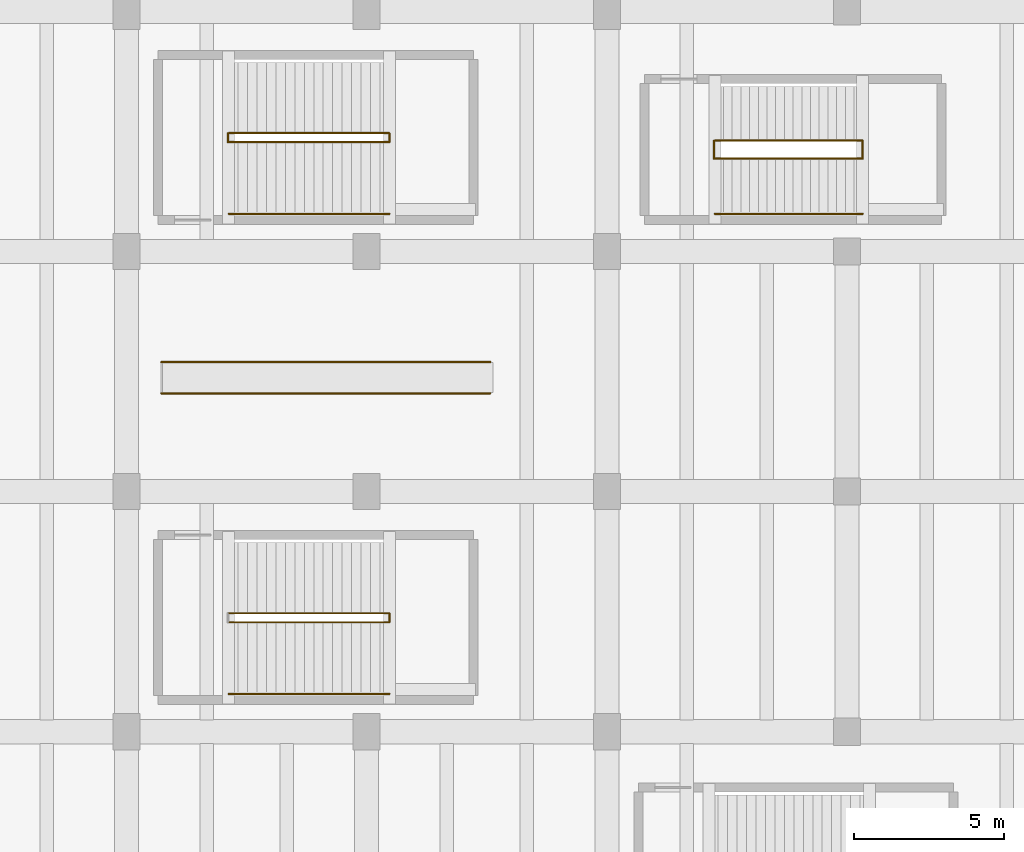
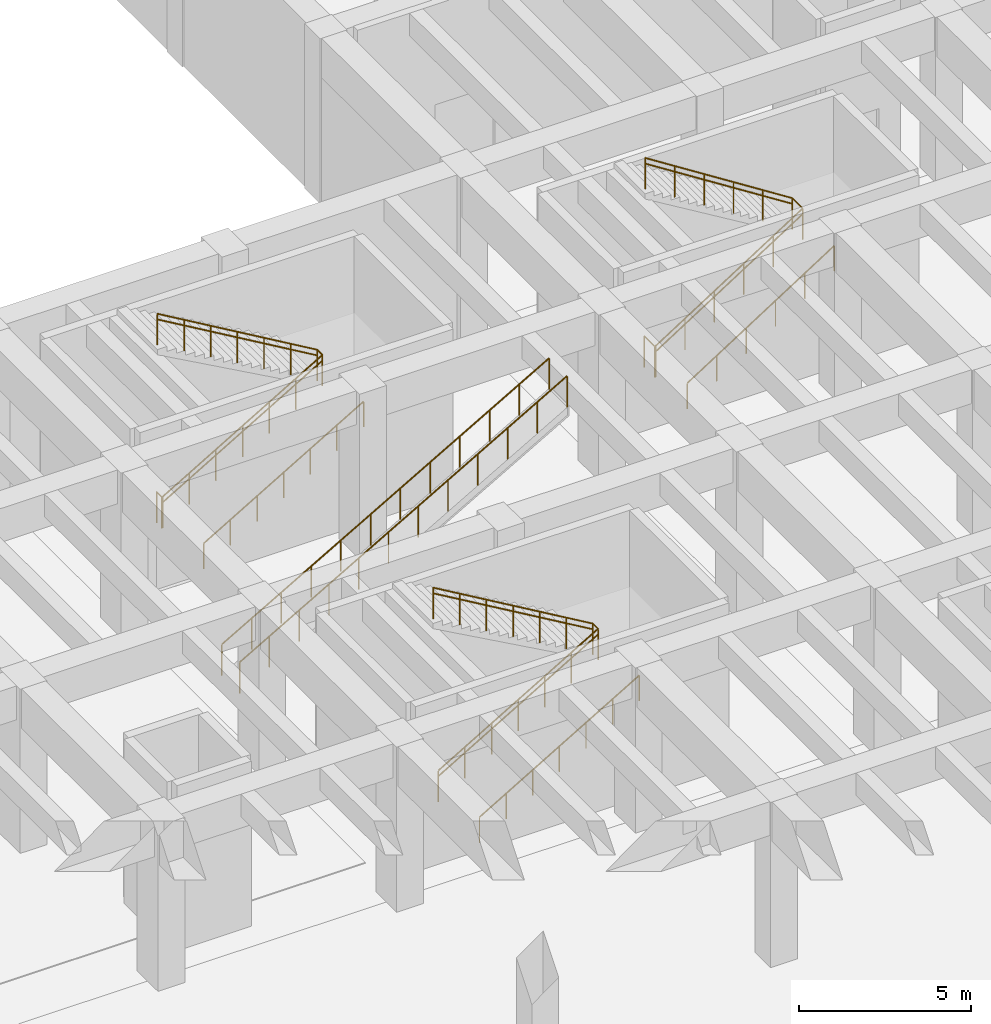
# One storey, part 21 of 24: 19 railings.
"""IFC4 building model written with IfcOpenShell, lengths in metres."""

from ifc_helpers import new_model, si_unit, direction, frame, origin, origin_2d, place, context, subcontext, project, spatial, circle, extrude, material, type_object, element, save


model = new_model("IFC4")

# Units and contexts
model_context = context("Model", 3, precision=1e-05, world=origin(), true_north=direction((0.0, 1.0)))
body_context = subcontext(model_context, "Body", "Model", "MODEL_VIEW")
ifc_project = project(units=[si_unit("LENGTHUNIT", "METRE"), si_unit("AREAUNIT", "SQUARE_METRE"), si_unit("VOLUMEUNIT", "CUBIC_METRE"), si_unit("PLANEANGLEUNIT", "RADIAN"), si_unit("MASSUNIT", "GRAM", prefix="KILO")], contexts=[model_context])

# Site, building, storey
site_placement = place(None, origin())
site = spatial("IfcSite", under=ifc_project, at=site_placement, CompositionType="ELEMENT")
building_placement = place(site_placement, origin())
building = spatial("IfcBuilding", under=site, at=building_placement, Name="Varnela Railside Interchange", CompositionType="ELEMENT")
storey_placement = place(building_placement, frame((0.0, 0.0, -6.300048828125)))
storey = spatial("IfcBuildingStorey", under=building, at=storey_placement, Name="B1", CompositionType="ELEMENT", Elevation=-6.300048828125)

# Railings
ifc_material_1 = material(Name="Glass laminated double", Category="glass")
railing_type_1 = type_object("IfcRailingType", Name="Concourse Atrium Balustrade BL-01", PredefinedType="BALUSTRADE", material=ifc_material_1)
railing_1_placement = place(storey_placement, frame((101.14990234375, 49.280029296875, 0.0)))
element("IfcRailing", 1, at=railing_1_placement, inside=storey, type_object=railing_type_1, Name="Escalator Inclined Balustrade ES6-S (RL-0130)", PredefinedType="BALUSTRADE", context=body_context, shape_type="SweptSolid", body=[
    extrude(circle(Radius=0.02392578125, at=origin_2d()), frame((0.0, 0.0, 1.09619140625), z_axis=(0.867173461285, 0.0, 0.498006212856), x_axis=(0.0, 1.0, 0.0)), (0.0, 0.0, 1.0), 12.650634765625),
    extrude(circle(Radius=0.02099609375, at=origin_2d()), origin(), (0.0, 0.0, 1.0), 1.072021484375),
    extrude(circle(Radius=0.02099609375, at=origin_2d()), frame((0.997314453125, 0.0, 0.57275390625)), (0.0, 0.0, 1.0), 1.072021484375),
    extrude(circle(Radius=0.02099609375, at=origin_2d()), frame((1.99462890625, 0.0, 1.1455078125)), (0.0, 0.0, 1.0), 1.072021484375),
    extrude(circle(Radius=0.02099609375, at=origin_2d()), frame((2.991943359375, 0.0, 1.71826171875)), (0.0, 0.0, 1.0), 1.072021484375),
    extrude(circle(Radius=0.02099609375, at=origin_2d()), frame((3.9892578125, 0.0, 2.291015625)), (0.0, 0.0, 1.0), 1.072021484375),
    extrude(circle(Radius=0.02099609375, at=origin_2d()), frame((4.986572265625, 0.0, 2.86376953125)), (0.0, 0.0, 1.0), 1.072021484375),
    extrude(circle(Radius=0.02099609375, at=origin_2d()), frame((5.983642578125, 0.0, 3.436279296875)), (0.0, 0.0, 1.0), 1.072021484375),
    extrude(circle(Radius=0.02099609375, at=origin_2d()), frame((6.98095703125, 0.0, 4.009033203125)), (0.0, 0.0, 1.0), 1.072021484375),
    extrude(circle(Radius=0.02099609375, at=origin_2d()), frame((7.978271484375, 0.0, 4.581787109375)), (0.0, 0.0, 1.0), 1.072021484375),
    extrude(circle(Radius=0.02099609375, at=origin_2d()), frame((8.9755859375, 0.0, 5.154541015625)), (0.0, 0.0, 1.0), 1.072021484375),
    extrude(circle(Radius=0.02099609375, at=origin_2d()), frame((9.972900390625, 0.0, 5.727294921875)), (0.0, 0.0, 1.0), 1.072021484375),
    extrude(circle(Radius=0.02099609375, at=origin_2d()), frame((10.97021484375, 0.0, 6.300048828125)), (0.0, 0.0, 1.0), 1.072021484375),
])
railing_2_placement = place(storey_placement, frame((101.14990234375, 50.320068359375, 0.0)))
element("IfcRailing", 2, at=railing_2_placement, inside=storey, type_object=railing_type_1, Name="Escalator Inclined Balustrade ES6-N (RL-0129)", PredefinedType="BALUSTRADE", context=body_context, shape_type="SweptSolid", body=[
    extrude(circle(Radius=0.02392578125, at=origin_2d()), frame((0.0, 0.0, 1.09619140625), z_axis=(0.867173461285, 0.0, 0.498006212856), x_axis=(0.0, 1.0, 0.0)), (0.0, 0.0, 1.0), 12.650634765625),
    extrude(circle(Radius=0.02099609375, at=origin_2d()), origin(), (0.0, 0.0, 1.0), 1.072021484375),
    extrude(circle(Radius=0.02099609375, at=origin_2d()), frame((0.997314453125, 0.0, 0.57275390625)), (0.0, 0.0, 1.0), 1.072021484375),
    extrude(circle(Radius=0.02099609375, at=origin_2d()), frame((1.99462890625, 0.0, 1.1455078125)), (0.0, 0.0, 1.0), 1.072021484375),
    extrude(circle(Radius=0.02099609375, at=origin_2d()), frame((2.991943359375, 0.0, 1.71826171875)), (0.0, 0.0, 1.0), 1.072021484375),
    extrude(circle(Radius=0.02099609375, at=origin_2d()), frame((3.9892578125, 0.0, 2.291015625)), (0.0, 0.0, 1.0), 1.072021484375),
    extrude(circle(Radius=0.02099609375, at=origin_2d()), frame((4.986572265625, 0.0, 2.86376953125)), (0.0, 0.0, 1.0), 1.072021484375),
    extrude(circle(Radius=0.02099609375, at=origin_2d()), frame((5.983642578125, 0.0, 3.436279296875)), (0.0, 0.0, 1.0), 1.072021484375),
    extrude(circle(Radius=0.02099609375, at=origin_2d()), frame((6.98095703125, 0.0, 4.009033203125)), (0.0, 0.0, 1.0), 1.072021484375),
    extrude(circle(Radius=0.02099609375, at=origin_2d()), frame((7.978271484375, 0.0, 4.581787109375)), (0.0, 0.0, 1.0), 1.072021484375),
    extrude(circle(Radius=0.02099609375, at=origin_2d()), frame((8.9755859375, 0.0, 5.154541015625)), (0.0, 0.0, 1.0), 1.072021484375),
    extrude(circle(Radius=0.02099609375, at=origin_2d()), frame((9.972900390625, 0.0, 5.727294921875)), (0.0, 0.0, 1.0), 1.072021484375),
    extrude(circle(Radius=0.02099609375, at=origin_2d()), frame((10.97021484375, 0.0, 6.300048828125)), (0.0, 0.0, 1.0), 1.072021484375),
])
ifc_material_2 = material(Name="Steel AR 350 (350 MPa)", Category="steel")
railing_type_2 = type_object("IfcRailingType", Name="Stair & Ramp Pitch Handrail HR-01", PredefinedType="HANDRAIL", material=ifc_material_2)
railing_3_placement = place(storey_placement, frame((119.60009765625, 57.10009765625, 0.0)))
element("IfcRailing", 3, at=railing_3_placement, inside=storey, type_object=railing_type_2, Name="Stair Handrail ST-E1 Flight 1 (RL-0139)", PredefinedType="HANDRAIL", context=body_context, shape_type="SweptSolid", body=[
    extrude(circle(Radius=0.02392578125, at=origin_2d()), frame((0.0, 0.0, 0.89599609375), z_axis=(0.842659969685, 0.0, 0.538446074821), x_axis=(0.0, 1.0, 0.0)), (0.0, 0.0, 1.0), 5.850341796875),
    extrude(circle(Radius=0.02099609375, at=origin_2d()), origin(), (0.0, 0.0, 1.0), 0.871826171875),
    extrude(circle(Radius=0.02099609375, at=origin_2d()), frame((0.986083984375, 0.0, 0.630126953125)), (0.0, 0.0, 1.0), 0.871826171875),
    extrude(circle(Radius=0.02099609375, at=origin_2d()), frame((1.971923828125, 0.0, 1.260009765625)), (0.0, 0.0, 1.0), 0.871826171875),
    extrude(circle(Radius=0.02099609375, at=origin_2d()), frame((2.9580078125, 0.0, 1.89013671875)), (0.0, 0.0, 1.0), 0.871826171875),
    extrude(circle(Radius=0.02099609375, at=origin_2d()), frame((3.94384765625, 0.0, 2.52001953125)), (0.0, 0.0, 1.0), 0.871826171875),
    extrude(circle(Radius=0.02099609375, at=origin_2d()), frame((4.929931640625, 0.0, 3.150146484375)), (0.0, 0.0, 1.0), 0.871826171875),
])
railing_4_placement = place(storey_placement, frame((124.530029296875, 57.699951171875, 3.150146484375)))
element("IfcRailing", 4, at=railing_4_placement, inside=storey, type_object=railing_type_2, Name="Stair Handrail ST-E1 Flight 2 (RL-0140)", PredefinedType="HANDRAIL", context=body_context, shape_type="SweptSolid", body=[
    extrude(circle(Radius=0.02392578125, at=origin_2d()), frame((0.0, 0.0, 0.89599609375), z_axis=(-0.842678903752, 0.0, 0.538416442144), x_axis=(0.0, -1.0, 0.0)), (0.0, 0.0, 1.0), 5.850341796875),
    extrude(circle(Radius=0.02099609375, at=origin_2d()), origin(), (0.0, 0.0, 1.0), 0.871826171875),
    extrude(circle(Radius=0.02099609375, at=origin_2d()), frame((-0.986083984375, 0.0, 0.6298828125)), (0.0, 0.0, 1.0), 0.871826171875),
    extrude(circle(Radius=0.02099609375, at=origin_2d()), frame((-1.971923828125, 0.0, 1.260009765625)), (0.0, 0.0, 1.0), 0.871826171875),
    extrude(circle(Radius=0.02099609375, at=origin_2d()), frame((-2.9580078125, 0.0, 1.889892578125)), (0.0, 0.0, 1.0), 0.871826171875),
    extrude(circle(Radius=0.02099609375, at=origin_2d()), frame((-3.94384765625, 0.0, 2.52001953125)), (0.0, 0.0, 1.0), 0.871826171875),
    extrude(circle(Radius=0.02099609375, at=origin_2d()), frame((-4.929931640625, 0.0, 3.14990234375)), (0.0, 0.0, 1.0), 0.871826171875),
])
railing_5_placement = place(storey_placement, frame((103.39990234375, 41.64990234375, 0.0)))
element("IfcRailing", 5, at=railing_5_placement, inside=storey, type_object=railing_type_2, Name="Stair Handrail ST-C2 Flight 1 (RL-0133)", PredefinedType="HANDRAIL", context=body_context, shape_type="SweptSolid", body=[
    extrude(circle(Radius=0.02392578125, at=origin_2d()), frame((0.0, 0.0, 0.89599609375), z_axis=(0.861923102912, 0.0, 0.507039016908), x_axis=(0.0, 1.0, 0.0)), (0.0, 0.0, 1.0), 6.212890625),
    extrude(circle(Radius=0.02099609375, at=origin_2d()), origin(), (0.0, 0.0, 1.0), 0.871826171875),
    extrude(circle(Radius=0.02099609375, at=origin_2d()), frame((0.892578125, 0.0, 0.52490234375)), (0.0, 0.0, 1.0), 0.871826171875),
    extrude(circle(Radius=0.02099609375, at=origin_2d()), frame((1.784912109375, 0.0, 1.050048828125)), (0.0, 0.0, 1.0), 0.871826171875),
    extrude(circle(Radius=0.02099609375, at=origin_2d()), frame((2.677490234375, 0.0, 1.5751953125)), (0.0, 0.0, 1.0), 0.871826171875),
    extrude(circle(Radius=0.02099609375, at=origin_2d()), frame((3.570068359375, 0.0, 2.10009765625)), (0.0, 0.0, 1.0), 0.871826171875),
    extrude(circle(Radius=0.02099609375, at=origin_2d()), frame((4.46240234375, 0.0, 2.625)), (0.0, 0.0, 1.0), 0.871826171875),
    extrude(circle(Radius=0.02099609375, at=origin_2d()), frame((5.35498046875, 0.0, 3.150146484375)), (0.0, 0.0, 1.0), 0.871826171875),
])
railing_6_placement = place(storey_placement, frame((108.7548828125, 41.949951171875, 3.150146484375)))
element("IfcRailing", 6, at=railing_6_placement, inside=storey, type_object=railing_type_2, Name="Stair Handrail ST-C2 Flight 2 (RL-0134)", PredefinedType="HANDRAIL", context=body_context, shape_type="SweptSolid", body=[
    extrude(circle(Radius=0.02392578125, at=origin_2d()), frame((0.0, 0.0, 0.89599609375), z_axis=(-0.861940276329, 0.0, 0.507009822431), x_axis=(0.0, -1.0, 0.0)), (0.0, 0.0, 1.0), 6.212646484375),
    extrude(circle(Radius=0.02099609375, at=origin_2d()), origin(), (0.0, 0.0, 1.0), 0.871826171875),
    extrude(circle(Radius=0.02099609375, at=origin_2d()), frame((-0.892578125, 0.0, 0.52490234375)), (0.0, 0.0, 1.0), 0.871826171875),
    extrude(circle(Radius=0.02099609375, at=origin_2d()), frame((-1.784912109375, 0.0, 1.050048828125)), (0.0, 0.0, 1.0), 0.871826171875),
    extrude(circle(Radius=0.02099609375, at=origin_2d()), frame((-2.677490234375, 0.0, 1.574951171875)), (0.0, 0.0, 1.0), 0.871826171875),
    extrude(circle(Radius=0.02099609375, at=origin_2d()), frame((-3.570068359375, 0.0, 2.099853515625)), (0.0, 0.0, 1.0), 0.871826171875),
    extrude(circle(Radius=0.02099609375, at=origin_2d()), frame((-4.46240234375, 0.0, 2.625)), (0.0, 0.0, 1.0), 0.871826171875),
    extrude(circle(Radius=0.02099609375, at=origin_2d()), frame((-5.35498046875, 0.0, 3.14990234375)), (0.0, 0.0, 1.0), 0.871826171875),
])
railing_7_placement = place(storey_placement, frame((103.39990234375, 57.64990234375, 0.0)))
element("IfcRailing", 7, at=railing_7_placement, inside=storey, type_object=railing_type_2, Name="Stair Handrail ST-C4 Flight 1 (RL-0137)", PredefinedType="HANDRAIL", context=body_context, shape_type="SweptSolid", body=[
    extrude(circle(Radius=0.02392578125, at=origin_2d()), frame((0.0, 0.0, 0.89599609375), z_axis=(0.861923102912, 0.0, 0.507039016908), x_axis=(0.0, 1.0, 0.0)), (0.0, 0.0, 1.0), 6.212890625),
    extrude(circle(Radius=0.02099609375, at=origin_2d()), origin(), (0.0, 0.0, 1.0), 0.871826171875),
    extrude(circle(Radius=0.02099609375, at=origin_2d()), frame((0.892578125, 0.0, 0.52490234375)), (0.0, 0.0, 1.0), 0.871826171875),
    extrude(circle(Radius=0.02099609375, at=origin_2d()), frame((1.784912109375, 0.0, 1.050048828125)), (0.0, 0.0, 1.0), 0.871826171875),
    extrude(circle(Radius=0.02099609375, at=origin_2d()), frame((2.677490234375, 0.0, 1.5751953125)), (0.0, 0.0, 1.0), 0.871826171875),
    extrude(circle(Radius=0.02099609375, at=origin_2d()), frame((3.570068359375, 0.0, 2.10009765625)), (0.0, 0.0, 1.0), 0.871826171875),
    extrude(circle(Radius=0.02099609375, at=origin_2d()), frame((4.46240234375, 0.0, 2.625)), (0.0, 0.0, 1.0), 0.871826171875),
    extrude(circle(Radius=0.02099609375, at=origin_2d()), frame((5.35498046875, 0.0, 3.150146484375)), (0.0, 0.0, 1.0), 0.871826171875),
])
railing_8_placement = place(storey_placement, frame((108.7548828125, 57.949951171875, 3.150146484375)))
element("IfcRailing", 8, at=railing_8_placement, inside=storey, type_object=railing_type_2, Name="Stair Handrail ST-C4 Flight 2 (RL-0138)", PredefinedType="HANDRAIL", context=body_context, shape_type="SweptSolid", body=[
    extrude(circle(Radius=0.02392578125, at=origin_2d()), frame((0.0, 0.0, 0.89599609375), z_axis=(-0.861940276329, 0.0, 0.507009822431), x_axis=(0.0, -1.0, 0.0)), (0.0, 0.0, 1.0), 6.212646484375),
    extrude(circle(Radius=0.02099609375, at=origin_2d()), origin(), (0.0, 0.0, 1.0), 0.871826171875),
    extrude(circle(Radius=0.02099609375, at=origin_2d()), frame((-0.892578125, 0.0, 0.52490234375)), (0.0, 0.0, 1.0), 0.871826171875),
    extrude(circle(Radius=0.02099609375, at=origin_2d()), frame((-1.784912109375, 0.0, 1.050048828125)), (0.0, 0.0, 1.0), 0.871826171875),
    extrude(circle(Radius=0.02099609375, at=origin_2d()), frame((-2.677490234375, 0.0, 1.574951171875)), (0.0, 0.0, 1.0), 0.871826171875),
    extrude(circle(Radius=0.02099609375, at=origin_2d()), frame((-3.570068359375, 0.0, 2.099853515625)), (0.0, 0.0, 1.0), 0.871826171875),
    extrude(circle(Radius=0.02099609375, at=origin_2d()), frame((-4.46240234375, 0.0, 2.625)), (0.0, 0.0, 1.0), 0.871826171875),
    extrude(circle(Radius=0.02099609375, at=origin_2d()), frame((-5.35498046875, 0.0, 3.14990234375)), (0.0, 0.0, 1.0), 0.871826171875),
])
railing_type_3 = type_object("IfcRailingType", Name="Stair Well & Landing Guard GR-02", PredefinedType="GUARDRAIL", material=ifc_material_2)
railing_9_placement = place(storey_placement, frame((119.570068359375, 57.10009765625, 0.0)))
element("IfcRailing", 9, at=railing_9_placement, inside=storey, type_object=railing_type_3, Name="Stair Well Slot Guard ST-E1 on B1 (RL-0094)", PredefinedType="GUARDRAIL", context=body_context, shape_type="SweptSolid", body=[
    extrude(circle(Radius=0.02392578125, at=origin_2d()), frame((0.0, 0.0, 1.09619140625), z_axis=(0.0, 1.0, 0.0), x_axis=(-1.0, 0.0, 0.0)), (0.0, 0.0, 1.0), 0.599853515625),
    extrude(circle(Radius=0.02099609375, at=origin_2d()), origin(), (0.0, 0.0, 1.0), 1.072021484375),
    extrude(circle(Radius=0.02099609375, at=origin_2d()), frame((0.0, 0.599853515625, 0.0)), (0.0, 0.0, 1.0), 1.072021484375),
])
railing_10_placement = place(storey_placement, frame((119.60009765625, 57.10009765625, 0.0)))
element("IfcRailing", 10, at=railing_10_placement, inside=storey, type_object=railing_type_3, Name="Stair Guard ST-E1 Half-Landing (RL-0092)", PredefinedType="GUARDRAIL", context=body_context, shape_type="SweptSolid", body=[
    extrude(circle(Radius=0.02392578125, at=origin_2d()), frame((0.0, 0.0, 1.09619140625), z_axis=(0.842659969685, 0.0, 0.538446074821), x_axis=(0.0, 1.0, 0.0)), (0.0, 0.0, 1.0), 5.850341796875),
    extrude(circle(Radius=0.02392578125, at=origin_2d()), frame((4.929931640625, 0.0, 4.24609375), z_axis=(0.0, 1.0, 0.0), x_axis=(-1.0, 0.0, 0.0)), (0.0, 0.0, 1.0), 0.599853515625),
    extrude(circle(Radius=0.02099609375, at=origin_2d()), origin(), (0.0, 0.0, 1.0), 1.072021484375),
    extrude(circle(Radius=0.02099609375, at=origin_2d()), frame((0.986083984375, 0.0, 0.630126953125)), (0.0, 0.0, 1.0), 1.072021484375),
    extrude(circle(Radius=0.02099609375, at=origin_2d()), frame((1.971923828125, 0.0, 1.260009765625)), (0.0, 0.0, 1.0), 1.072021484375),
    extrude(circle(Radius=0.02099609375, at=origin_2d()), frame((2.9580078125, 0.0, 1.89013671875)), (0.0, 0.0, 1.0), 1.072021484375),
    extrude(circle(Radius=0.02099609375, at=origin_2d()), frame((3.94384765625, 0.0, 2.52001953125)), (0.0, 0.0, 1.0), 1.072021484375),
    extrude(circle(Radius=0.02099609375, at=origin_2d()), frame((4.929931640625, 0.0, 3.150146484375)), (0.0, 0.0, 1.0), 1.072021484375),
    extrude(circle(Radius=0.02099609375, at=origin_2d()), frame((4.929931640625, 0.599853515625, 3.150146484375)), (0.0, 0.0, 1.0), 1.072021484375),
])
railing_11_placement = place(storey_placement, frame((124.530029296875, 57.699951171875, 3.150146484375)))
element("IfcRailing", 11, at=railing_11_placement, inside=storey, type_object=railing_type_3, Name="Stair Guard ST-E1 Upper Flight (RL-0093)", PredefinedType="GUARDRAIL", context=body_context, shape_type="SweptSolid", body=[
    extrude(circle(Radius=0.02392578125, at=origin_2d()), frame((0.0, 0.0, 1.09619140625), z_axis=(-0.842678903752, 0.0, 0.538416442144), x_axis=(0.0, -1.0, 0.0)), (0.0, 0.0, 1.0), 5.850341796875),
    extrude(circle(Radius=0.02099609375, at=origin_2d()), origin(), (0.0, 0.0, 1.0), 1.072021484375),
    extrude(circle(Radius=0.02099609375, at=origin_2d()), frame((-0.986083984375, 0.0, 0.6298828125)), (0.0, 0.0, 1.0), 1.072021484375),
    extrude(circle(Radius=0.02099609375, at=origin_2d()), frame((-1.971923828125, 0.0, 1.260009765625)), (0.0, 0.0, 1.0), 1.072021484375),
    extrude(circle(Radius=0.02099609375, at=origin_2d()), frame((-2.9580078125, 0.0, 1.889892578125)), (0.0, 0.0, 1.0), 1.072021484375),
    extrude(circle(Radius=0.02099609375, at=origin_2d()), frame((-3.94384765625, 0.0, 2.52001953125)), (0.0, 0.0, 1.0), 1.072021484375),
    extrude(circle(Radius=0.02099609375, at=origin_2d()), frame((-4.929931640625, 0.0, 3.14990234375)), (0.0, 0.0, 1.0), 1.072021484375),
])
railing_12_placement = place(storey_placement, frame((103.39990234375, 41.64990234375, 0.0)))
element("IfcRailing", 12, at=railing_12_placement, inside=storey, type_object=railing_type_3, Name="Stair Guard ST-C2 Half-Landing (RL-0083)", PredefinedType="GUARDRAIL", context=body_context, shape_type="SweptSolid", body=[
    extrude(circle(Radius=0.02392578125, at=origin_2d()), frame((0.0, 0.0, 1.09619140625), z_axis=(0.861923102912, 0.0, 0.507039016908), x_axis=(0.0, 1.0, 0.0)), (0.0, 0.0, 1.0), 6.212890625),
    extrude(circle(Radius=0.02392578125, at=origin_2d()), frame((5.35498046875, 0.0, 4.24609375), z_axis=(0.0, 1.0, 0.0), x_axis=(-1.0, 0.0, 0.0)), (0.0, 0.0, 1.0), 0.300048828125),
    extrude(circle(Radius=0.02099609375, at=origin_2d()), origin(), (0.0, 0.0, 1.0), 1.072021484375),
    extrude(circle(Radius=0.02099609375, at=origin_2d()), frame((0.892578125, 0.0, 0.52490234375)), (0.0, 0.0, 1.0), 1.072021484375),
    extrude(circle(Radius=0.02099609375, at=origin_2d()), frame((1.784912109375, 0.0, 1.050048828125)), (0.0, 0.0, 1.0), 1.072021484375),
    extrude(circle(Radius=0.02099609375, at=origin_2d()), frame((2.677490234375, 0.0, 1.5751953125)), (0.0, 0.0, 1.0), 1.072021484375),
    extrude(circle(Radius=0.02099609375, at=origin_2d()), frame((3.570068359375, 0.0, 2.10009765625)), (0.0, 0.0, 1.0), 1.072021484375),
    extrude(circle(Radius=0.02099609375, at=origin_2d()), frame((4.46240234375, 0.0, 2.625)), (0.0, 0.0, 1.0), 1.072021484375),
    extrude(circle(Radius=0.02099609375, at=origin_2d()), frame((5.35498046875, 0.0, 3.150146484375)), (0.0, 0.0, 1.0), 1.072021484375),
    extrude(circle(Radius=0.02099609375, at=origin_2d()), frame((5.35498046875, 0.300048828125, 3.150146484375)), (0.0, 0.0, 1.0), 1.072021484375),
])
railing_13_placement = place(storey_placement, frame((108.7548828125, 41.949951171875, 3.150146484375)))
element("IfcRailing", 13, at=railing_13_placement, inside=storey, type_object=railing_type_3, Name="Stair Guard ST-C2 Upper Flight (RL-0084)", PredefinedType="GUARDRAIL", context=body_context, shape_type="SweptSolid", body=[
    extrude(circle(Radius=0.02392578125, at=origin_2d()), frame((0.0, 0.0, 1.09619140625), z_axis=(-0.861940276329, 0.0, 0.507009822431), x_axis=(0.0, -1.0, 0.0)), (0.0, 0.0, 1.0), 6.212646484375),
    extrude(circle(Radius=0.02099609375, at=origin_2d()), origin(), (0.0, 0.0, 1.0), 1.072021484375),
    extrude(circle(Radius=0.02099609375, at=origin_2d()), frame((-0.892578125, 0.0, 0.52490234375)), (0.0, 0.0, 1.0), 1.072021484375),
    extrude(circle(Radius=0.02099609375, at=origin_2d()), frame((-1.784912109375, 0.0, 1.050048828125)), (0.0, 0.0, 1.0), 1.072021484375),
    extrude(circle(Radius=0.02099609375, at=origin_2d()), frame((-2.677490234375, 0.0, 1.574951171875)), (0.0, 0.0, 1.0), 1.072021484375),
    extrude(circle(Radius=0.02099609375, at=origin_2d()), frame((-3.570068359375, 0.0, 2.099853515625)), (0.0, 0.0, 1.0), 1.072021484375),
    extrude(circle(Radius=0.02099609375, at=origin_2d()), frame((-4.46240234375, 0.0, 2.625)), (0.0, 0.0, 1.0), 1.072021484375),
    extrude(circle(Radius=0.02099609375, at=origin_2d()), frame((-5.35498046875, 0.0, 3.14990234375)), (0.0, 0.0, 1.0), 1.072021484375),
])
railing_14_placement = place(storey_placement, frame((103.3701171875, 57.64990234375, 0.0)))
element("IfcRailing", 14, at=railing_14_placement, inside=storey, type_object=railing_type_3, Name="Stair Well Slot Guard ST-C4 on B1 (RL-0091)", PredefinedType="GUARDRAIL", context=body_context, shape_type="SweptSolid", body=[
    extrude(circle(Radius=0.02392578125, at=origin_2d()), frame((0.0, 0.0, 1.09619140625), z_axis=(0.0, 1.0, 0.0), x_axis=(-1.0, 0.0, 0.0)), (0.0, 0.0, 1.0), 0.300048828125),
    extrude(circle(Radius=0.02099609375, at=origin_2d()), origin(), (0.0, 0.0, 1.0), 1.072021484375),
    extrude(circle(Radius=0.02099609375, at=origin_2d()), frame((0.0, 0.300048828125, 0.0)), (0.0, 0.0, 1.0), 1.072021484375),
])
railing_15_placement = place(storey_placement, frame((103.39990234375, 57.64990234375, 0.0)))
element("IfcRailing", 15, at=railing_15_placement, inside=storey, type_object=railing_type_3, Name="Stair Guard ST-C4 Half-Landing (RL-0089)", PredefinedType="GUARDRAIL", context=body_context, shape_type="SweptSolid", body=[
    extrude(circle(Radius=0.02392578125, at=origin_2d()), frame((0.0, 0.0, 1.09619140625), z_axis=(0.861923102912, 0.0, 0.507039016908), x_axis=(0.0, 1.0, 0.0)), (0.0, 0.0, 1.0), 6.212890625),
    extrude(circle(Radius=0.02392578125, at=origin_2d()), frame((5.35498046875, 0.0, 4.24609375), z_axis=(0.0, 1.0, 0.0), x_axis=(-1.0, 0.0, 0.0)), (0.0, 0.0, 1.0), 0.300048828125),
    extrude(circle(Radius=0.02099609375, at=origin_2d()), origin(), (0.0, 0.0, 1.0), 1.072021484375),
    extrude(circle(Radius=0.02099609375, at=origin_2d()), frame((0.892578125, 0.0, 0.52490234375)), (0.0, 0.0, 1.0), 1.072021484375),
    extrude(circle(Radius=0.02099609375, at=origin_2d()), frame((1.784912109375, 0.0, 1.050048828125)), (0.0, 0.0, 1.0), 1.072021484375),
    extrude(circle(Radius=0.02099609375, at=origin_2d()), frame((2.677490234375, 0.0, 1.5751953125)), (0.0, 0.0, 1.0), 1.072021484375),
    extrude(circle(Radius=0.02099609375, at=origin_2d()), frame((3.570068359375, 0.0, 2.10009765625)), (0.0, 0.0, 1.0), 1.072021484375),
    extrude(circle(Radius=0.02099609375, at=origin_2d()), frame((4.46240234375, 0.0, 2.625)), (0.0, 0.0, 1.0), 1.072021484375),
    extrude(circle(Radius=0.02099609375, at=origin_2d()), frame((5.35498046875, 0.0, 3.150146484375)), (0.0, 0.0, 1.0), 1.072021484375),
    extrude(circle(Radius=0.02099609375, at=origin_2d()), frame((5.35498046875, 0.300048828125, 3.150146484375)), (0.0, 0.0, 1.0), 1.072021484375),
])
railing_16_placement = place(storey_placement, frame((108.7548828125, 57.949951171875, 3.150146484375)))
element("IfcRailing", 16, at=railing_16_placement, inside=storey, type_object=railing_type_3, Name="Stair Guard ST-C4 Upper Flight (RL-0090)", PredefinedType="GUARDRAIL", context=body_context, shape_type="SweptSolid", body=[
    extrude(circle(Radius=0.02392578125, at=origin_2d()), frame((0.0, 0.0, 1.09619140625), z_axis=(-0.861940276329, 0.0, 0.507009822431), x_axis=(0.0, -1.0, 0.0)), (0.0, 0.0, 1.0), 6.212646484375),
    extrude(circle(Radius=0.02099609375, at=origin_2d()), origin(), (0.0, 0.0, 1.0), 1.072021484375),
    extrude(circle(Radius=0.02099609375, at=origin_2d()), frame((-0.892578125, 0.0, 0.52490234375)), (0.0, 0.0, 1.0), 1.072021484375),
    extrude(circle(Radius=0.02099609375, at=origin_2d()), frame((-1.784912109375, 0.0, 1.050048828125)), (0.0, 0.0, 1.0), 1.072021484375),
    extrude(circle(Radius=0.02099609375, at=origin_2d()), frame((-2.677490234375, 0.0, 1.574951171875)), (0.0, 0.0, 1.0), 1.072021484375),
    extrude(circle(Radius=0.02099609375, at=origin_2d()), frame((-3.570068359375, 0.0, 2.099853515625)), (0.0, 0.0, 1.0), 1.072021484375),
    extrude(circle(Radius=0.02099609375, at=origin_2d()), frame((-4.46240234375, 0.0, 2.625)), (0.0, 0.0, 1.0), 1.072021484375),
    extrude(circle(Radius=0.02099609375, at=origin_2d()), frame((-5.35498046875, 0.0, 3.14990234375)), (0.0, 0.0, 1.0), 1.072021484375),
])
railing_type_4 = type_object("IfcRailingType", Name="Wall-Mounted Stair Handrail HR-02", PredefinedType="HANDRAIL", material=ifc_material_2)
railing_17_placement = place(storey_placement, frame((119.60009765625, 55.260009765625, 0.0)))
element("IfcRailing", 17, at=railing_17_placement, inside=storey, type_object=railing_type_4, Name="Wall Handrail ST-E1 Flight 1 (RL-0163)", PredefinedType="HANDRAIL", context=body_context, shape_type="SweptSolid", body=[
    extrude(circle(Radius=0.02392578125, at=origin_2d()), frame((0.0, 0.0, 0.89599609375), z_axis=(0.842659969685, 0.0, 0.538446074821), x_axis=(0.0, 1.0, 0.0)), (0.0, 0.0, 1.0), 5.850341796875),
    extrude(circle(Radius=0.02099609375, at=origin_2d()), origin(), (0.0, 0.0, 1.0), 0.871826171875),
    extrude(circle(Radius=0.02099609375, at=origin_2d()), frame((0.986083984375, 0.0, 0.630126953125)), (0.0, 0.0, 1.0), 0.871826171875),
    extrude(circle(Radius=0.02099609375, at=origin_2d()), frame((1.971923828125, 0.0, 1.260009765625)), (0.0, 0.0, 1.0), 0.871826171875),
    extrude(circle(Radius=0.02099609375, at=origin_2d()), frame((2.9580078125, 0.0, 1.89013671875)), (0.0, 0.0, 1.0), 0.871826171875),
    extrude(circle(Radius=0.02099609375, at=origin_2d()), frame((3.94384765625, 0.0, 2.52001953125)), (0.0, 0.0, 1.0), 0.871826171875),
    extrude(circle(Radius=0.02099609375, at=origin_2d()), frame((4.929931640625, 0.0, 3.150146484375)), (0.0, 0.0, 1.0), 0.871826171875),
])
for number, where, name in (
    (18, (103.39990234375, 39.260009765625, 0.0), "Wall Handrail ST-C2 Flight 1 (RL-0160)"),
    (19, (103.39990234375, 55.260009765625, 0.0), "Wall Handrail ST-C4 Flight 1 (RL-0162)"),
):
    element("IfcRailing", number, at=place(storey_placement, frame(where)), inside=storey, type_object=railing_type_4, Name=name, PredefinedType="HANDRAIL", context=body_context, shape_type="SweptSolid", body=[
        extrude(circle(Radius=0.02392578125, at=origin_2d()), frame((0.0, 0.0, 0.89599609375), z_axis=(0.861923102912, 0.0, 0.507039016908), x_axis=(0.0, 1.0, 0.0)), (0.0, 0.0, 1.0), 6.212890625),
        extrude(circle(Radius=0.02099609375, at=origin_2d()), origin(), (0.0, 0.0, 1.0), 0.871826171875),
        extrude(circle(Radius=0.02099609375, at=origin_2d()), frame((0.892578125, 0.0, 0.52490234375)), (0.0, 0.0, 1.0), 0.871826171875),
        extrude(circle(Radius=0.02099609375, at=origin_2d()), frame((1.784912109375, 0.0, 1.050048828125)), (0.0, 0.0, 1.0), 0.871826171875),
        extrude(circle(Radius=0.02099609375, at=origin_2d()), frame((2.677490234375, 0.0, 1.5751953125)), (0.0, 0.0, 1.0), 0.871826171875),
        extrude(circle(Radius=0.02099609375, at=origin_2d()), frame((3.570068359375, 0.0, 2.10009765625)), (0.0, 0.0, 1.0), 0.871826171875),
        extrude(circle(Radius=0.02099609375, at=origin_2d()), frame((4.46240234375, 0.0, 2.625)), (0.0, 0.0, 1.0), 0.871826171875),
        extrude(circle(Radius=0.02099609375, at=origin_2d()), frame((5.35498046875, 0.0, 3.150146484375)), (0.0, 0.0, 1.0), 0.871826171875),
    ])

save(model, "model.ifc")
